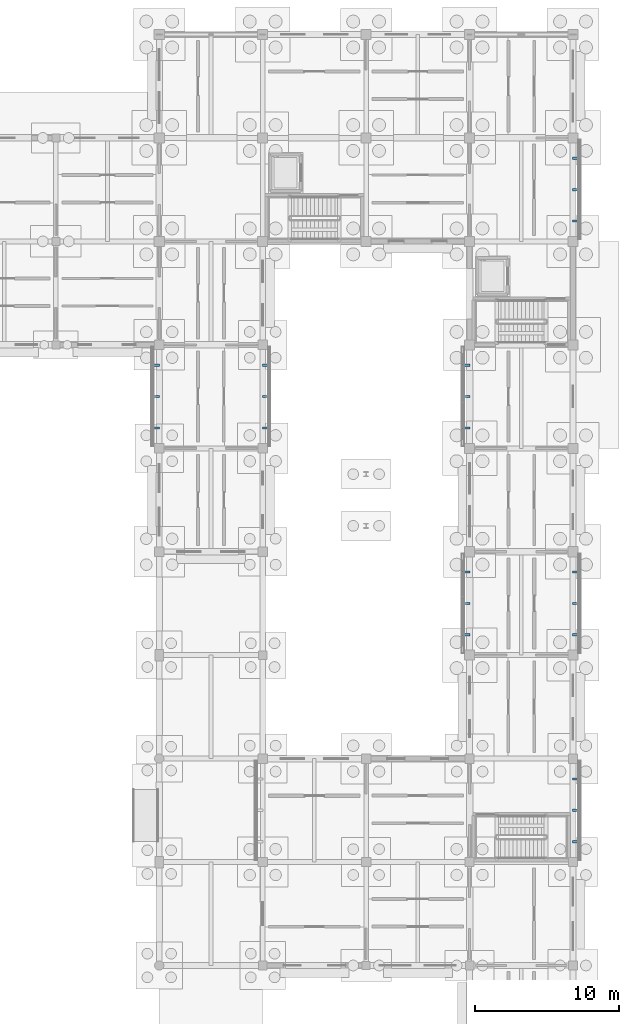
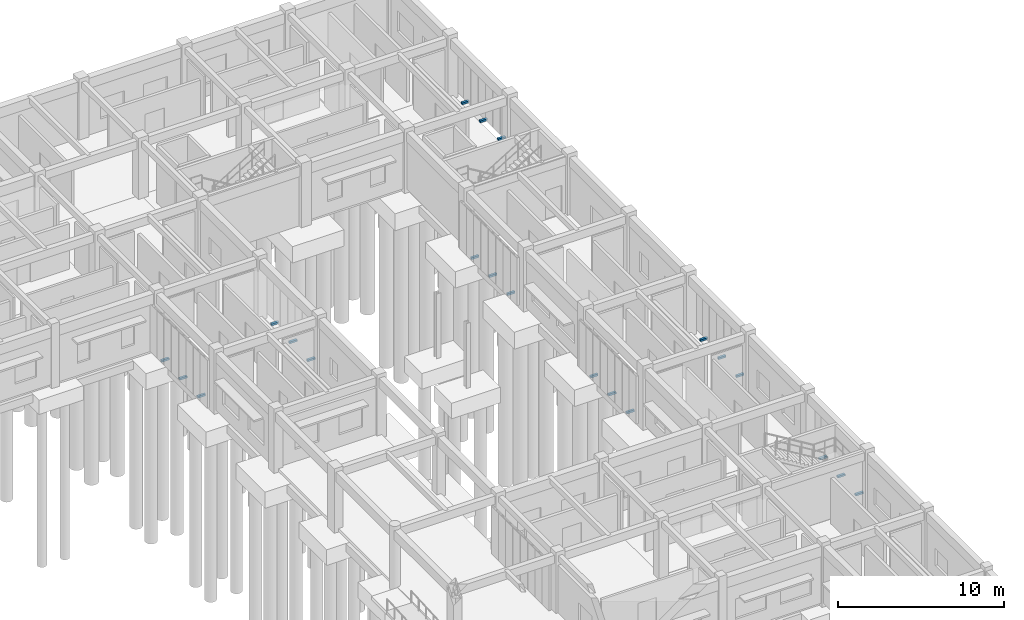
# One storey, part 90 of 111: 21 discrete accessories.
"""IFC4 building model written with IfcOpenShell, lengths in metres."""

import ifcopenshell
import ifcopenshell.guid

model = None  # the IFC model being written
_history = None  # IfcOwnerHistory: only IFC2X3 demands one
_inside = {}  # id of a spatial element -> (the spatial element, [elements in it])
_under = {}  # id of a project, library or spatial element -> (it, [spatial elements below it])
_declared = {}  # id of a project -> (the project, [libraries it declares])
_typed = {}  # id of a type object -> (the type object, [elements of that type])
_made_of = {}  # id of a material, layer set ... -> (it, [elements and type objects made of it])


def new_model(schema):
    """Start an empty IFC model of exactly this schema.

    Asked for "IFC4X3", IfcOpenShell would pick the latest addendum, in which some entities
    have other attributes; the version numbers below select the first issue.
    IFC2X3 requires an IfcOwnerHistory on every rooted entity: one is made here for all.
    """
    global model, _history
    if schema == "IFC4X3":
        model = ifcopenshell.file(schema_version=(4, 3, 0, 0))
    else:
        model = ifcopenshell.file(schema=schema)
    _inside.clear()
    _under.clear()
    _declared.clear()
    _typed.clear()
    _made_of.clear()
    _history = None
    if model.schema == "IFC2X3":
        org = make("IfcOrganization", Name="unknown")
        user = make(
            "IfcPersonAndOrganization",
            ThePerson=make("IfcPerson", FamilyName="unknown"),
            TheOrganization=org,
        )
        app = make(
            "IfcApplication",
            ApplicationDeveloper=org,
            Version="unknown",
            ApplicationFullName="unknown",
            ApplicationIdentifier="unknown",
        )
        _history = make(
            "IfcOwnerHistory",
            OwningUser=user,
            OwningApplication=app,
            ChangeAction="ADDED",
            CreationDate=0,
        )
    return model


def make(cls, **values):
    """One entity of the class cls with the attributes given. An attribute that is None is left unset."""
    return model.create_entity(
        cls, **{name: value for name, value in values.items() if value is not None}
    )


def rooted(cls, **values):
    """An entity with a GlobalId (a new one), such as an element, a storey or a relation."""
    return make(cls, GlobalId=ifcopenshell.guid.new(), OwnerHistory=_history, **values)


def si_unit(unit_type, name, prefix=None):
    """IfcSIUnit, for example si_unit("LENGTHUNIT", "METRE", prefix="MILLI")."""
    return make("IfcSIUnit", UnitType=unit_type, Prefix=prefix, Name=name)


def assignment(units):
    """IfcUnitAssignment: the units of a project."""
    return None if units is None else make("IfcUnitAssignment", Units=units)


def point(xyz):
    """IfcCartesianPoint."""
    return None if xyz is None else make("IfcCartesianPoint", Coordinates=xyz)


def direction(xyz):
    """IfcDirection."""
    return None if xyz is None else make("IfcDirection", DirectionRatios=xyz)


def frame(location, z_axis=None, x_axis=None):
    """IfcAxis2Placement3D, a coordinate frame: its origin and axes. An axis left out is left unset."""
    return make(
        "IfcAxis2Placement3D",
        Location=point(location),
        Axis=direction(z_axis),
        RefDirection=direction(x_axis),
    )


def frame_2d(location, x_axis=None):
    """IfcAxis2Placement2D, a coordinate frame in the plane: its origin and x axis."""
    return make(
        "IfcAxis2Placement2D", Location=point(location), RefDirection=direction(x_axis)
    )


def origin():
    """The frame at (0, 0, 0) with its axes left unset."""
    return frame((0.0, 0.0, 0.0))


def origin_2d():
    """The frame at (0, 0) in the plane with its x axis left unset."""
    return frame_2d((0.0, 0.0))


def place(relative_to, where):
    """IfcLocalPlacement: puts the frame where relative to a parent placement (None: the world)."""
    return make(
        "IfcLocalPlacement", PlacementRelTo=relative_to, RelativePlacement=where
    )


def context(
    kind, dimensions, precision=None, world=None, true_north=None, identifier=None
):
    """IfcGeometricRepresentationContext, for example the 3D "Model" context."""
    return make(
        "IfcGeometricRepresentationContext",
        ContextIdentifier=identifier,
        ContextType=kind,
        CoordinateSpaceDimension=dimensions,
        Precision=precision,
        WorldCoordinateSystem=world,
        TrueNorth=true_north,
    )


def subcontext(parent, identifier, kind, view, scale=None):
    """IfcGeometricRepresentationSubContext, for example "Body" below "Model"."""
    return make(
        "IfcGeometricRepresentationSubContext",
        ContextIdentifier=identifier,
        ContextType=kind,
        ParentContext=parent,
        TargetScale=scale,
        TargetView=view,
    )


def project(units=None, contexts=None):
    """IfcProject with its units and contexts."""
    return rooted(
        "IfcProject",
        Name="project",
        RepresentationContexts=contexts,
        UnitsInContext=assignment(units),
    )


def spatial(cls, under=None, at=None, **own):
    """A site, building, storey or space (cls), placed at a placement, below another one or the project."""
    s = rooted(cls, ObjectPlacement=at, **own)
    if under is not None:
        _under.setdefault(under.id(), (under, []))[1].append(s)
    return s


def profile(cls, at=None, kind="AREA", **sizes):
    """A parametric profile (cls). Its sizes go by their IFC names, for example OverallWidth=200.0."""
    return make(cls, ProfileType=kind, Position=at, **sizes)


def rectangle(**sizes):
    """IfcRectangleProfileDef."""
    return profile("IfcRectangleProfileDef", **sizes)


def extrude(swept, where, along, depth):
    """IfcExtrudedAreaSolid: the profile swept, set in the frame where, extruded along a direction by depth."""
    return make(
        "IfcExtrudedAreaSolid",
        SweptArea=swept,
        Position=where,
        ExtrudedDirection=direction(along),
        Depth=depth,
    )


def shape(context_of_items, identifier, shape_type, items):
    """IfcShapeRepresentation: the items that make up one representation, for example the "Body"."""
    return make(
        "IfcShapeRepresentation",
        ContextOfItems=context_of_items,
        RepresentationIdentifier=identifier,
        RepresentationType=shape_type,
        Items=items,
    )


def material(Name=None, Category=None):
    """IfcMaterial."""
    return make("IfcMaterial", Name=Name, Category=Category)


def made_of(thing, what):
    """Note that an element or type object is made of a material, layer set ...; save() writes the relation."""
    if what is not None:
        _made_of.setdefault(what.id(), (what, []))[1].append(thing)
    return thing


def type_object(cls, material=None, **own):
    """A type object (cls), such as IfcWallType, which elements share."""
    return made_of(rooted(cls, **own), material)


def element(
    cls,
    number,
    at=None,
    inside=None,
    cuts=None,
    type_object=None,
    material=None,
    context=None,
    identifier="Body",
    shape_type=None,
    held_by="IfcProductDefinitionShape",
    body=None,
    shapes=None,
    **own,
):
    """One element of the class cls, such as IfcWall. Its Tag is "e" and its number.

    at: its placement. inside: the storey or other place that contains it. cuts: it is an
    opening in that element (IfcRelVoidsElement). A single representation is given by context,
    identifier, shape_type and body (its items); several are given by shapes. held_by: the class
    of the entity that holds the representations. save() writes the other relations.
    """
    e = rooted(cls, Tag="e%d" % number, ObjectPlacement=at, **own)
    if body is not None:
        shapes = [shape(context, identifier, shape_type, body)]
    if shapes is not None:
        e.Representation = make(held_by, Representations=shapes)
    if inside is not None:
        _inside.setdefault(inside.id(), (inside, []))[1].append(e)
    if cuts is not None:
        rooted(
            "IfcRelVoidsElement", RelatingBuildingElement=cuts, RelatedOpeningElement=e
        )
    if type_object is not None:
        _typed.setdefault(type_object.id(), (type_object, []))[1].append(e)
    return made_of(e, material)


def aggregate(whole, parts):
    """IfcRelAggregates: a whole, such as a stair, and the parts it consists of."""
    return rooted("IfcRelAggregates", RelatingObject=whole, RelatedObjects=parts)


def save(model, path):
    """Write the relations noted so far, then the file.

    IfcRelAggregates (storeys below a building ...), IfcRelContainedInSpatialStructure (elements
    in a storey), IfcRelDefinesByType, IfcRelAssociatesMaterial and IfcRelDeclares: one each for
    every whole, place, type object, material and project.
    """
    for whole, parts in _under.values():
        aggregate(whole, parts)
    for where, things in _inside.values():
        rooted(
            "IfcRelContainedInSpatialStructure",
            RelatedElements=things,
            RelatingStructure=where,
        )
    for kind, things in _typed.values():
        rooted("IfcRelDefinesByType", RelatedObjects=things, RelatingType=kind)
    for what, things in _made_of.values():
        rooted("IfcRelAssociatesMaterial", RelatedObjects=things, RelatingMaterial=what)
    for by, libraries in _declared.values():
        rooted("IfcRelDeclares", RelatingContext=by, RelatedDefinitions=libraries)
    model.write(path)


model = new_model("IFC4")

# Units and contexts
model_context = context("Model", 3, precision=1e-05, world=origin(), true_north=direction((0.0, 1.0)))
body_context = subcontext(model_context, "Body", "Model", "MODEL_VIEW")
ifc_project = project(units=[si_unit("LENGTHUNIT", "METRE"), si_unit("AREAUNIT", "SQUARE_METRE"), si_unit("VOLUMEUNIT", "CUBIC_METRE"), si_unit("PLANEANGLEUNIT", "RADIAN"), si_unit("MASSUNIT", "GRAM", prefix="KILO")], contexts=[model_context])

# Site, building, storey
site_placement = place(None, origin())
site = spatial("IfcSite", under=ifc_project, at=site_placement, CompositionType="ELEMENT")
building_placement = place(site_placement, origin())
building = spatial("IfcBuilding", under=site, at=building_placement, Name="Aldebral Square Health Centre", CompositionType="ELEMENT")
storey_placement = place(building_placement, origin())
storey = spatial("IfcBuildingStorey", under=building, at=storey_placement, Name="L00", CompositionType="ELEMENT", Elevation=0.0)

# Discrete accessories
ifc_material = material(Name="Steel S355JR", Category="steel")
discrete_accessory_type = type_object("IfcDiscreteAccessoryType", Name="ACC-BRK-1", PredefinedType="BRACKET", material=ifc_material)
for number, where, z_axis, x_axis, name in (
    (1, (136.570068359375, 92.18408203125, -0.009765625), (0.0, 0.0, 1.0), (0.0, 1.0, 0.0), "L00 finned curtain-wall bracket L00-V5-19-12-W.1"),
    (2, (136.570068359375, 90.0, -0.009765625), (0.0, 0.0, 1.0), (0.0, 1.0, 0.0), "L00 finned curtain-wall bracket L00-V5-19-12-W.2"),
    (3, (136.570068359375, 87.81591796875, -0.009765625), (0.0, 0.0, 1.0), (0.0, 1.0, 0.0), "L00 finned curtain-wall bracket L00-V5-19-12-W.3"),
    (4, (144.22998046875, 87.81591796875, -0.009765625), (0.0, 0.0, 1.0), (0.0, 1.0, 0.0), "L00 finned curtain-wall bracket L00-V5-19-12-E.1"),
    (5, (144.22998046875, 90.0, -0.009765625), (0.0, 0.0, 1.0), (0.0, 1.0, 0.0), "L00 finned curtain-wall bracket L00-V5-19-12-E.2"),
    (6, (144.22998046875, 92.18408203125, -0.009765625), (0.0, 0.0, 1.0), (0.0, 1.0, 0.0), "L00 finned curtain-wall bracket L00-V5-19-12-E.3"),
    (7, (165.830078125, 59.01611328125, -0.009765625), (0.0, 0.0, 1.0), (0.0, 1.0, 0.0), "L00 finned curtain-wall bracket L00-V5-22-08-E.1"),
    (8, (165.830078125, 61.199951171875, -0.009765625), (0.0, 0.0, 1.0), (0.0, 1.0, 0.0), "L00 finned curtain-wall bracket L00-V5-22-08-E.2"),
    (9, (165.830078125, 63.384033203125, -0.009765625), (0.0, 0.0, 1.0), (0.0, 1.0, 0.0), "L00 finned curtain-wall bracket L00-V5-22-08-E.3"),
    (10, (158.169921875, 77.783935546875, -0.009765625), (0.0, 0.0, 1.0), (0.0, 1.0, 0.0), "L00 finned curtain-wall bracket L00-V5-22-10-W.1"),
    (11, (158.169921875, 75.60009765625, -0.009765625), (0.0, 0.0, 1.0), (0.0, 1.0, 0.0), "L00 finned curtain-wall bracket L00-V5-22-10-W.2"),
    (12, (158.169921875, 73.416015625, -0.009765625), (0.0, 0.0, 1.0), (0.0, 1.0, 0.0), "L00 finned curtain-wall bracket L00-V5-22-10-W.3"),
    (13, (165.830078125, 73.416015625, -0.009765625), (0.0, 0.0, 1.0), (0.0, 1.0, 0.0), "L00 finned curtain-wall bracket L00-V5-22-10-E.1"),
    (14, (165.830078125, 75.60009765625, -0.009765625), (0.0, 0.0, 1.0), (0.0, 1.0, 0.0), "L00 finned curtain-wall bracket L00-V5-22-10-E.2"),
    (15, (165.830078125, 77.783935546875, -0.009765625), (0.0, 0.0, 1.0), (0.0, 1.0, 0.0), "L00 finned curtain-wall bracket L00-V5-22-10-E.3"),
    (16, (158.169921875, 92.18408203125, -0.009765625), (0.0, 0.0, 1.0), (0.0, 1.0, 0.0), "L00 finned curtain-wall bracket L00-V5-22-12-W.1"),
    (17, (158.169921875, 90.0, -0.009765625), (0.0, 0.0, 1.0), (0.0, 1.0, 0.0), "L00 finned curtain-wall bracket L00-V5-22-12-W.2"),
    (18, (158.169921875, 87.81591796875, -0.009765625), (0.0, 0.0, 1.0), (0.0, 1.0, 0.0), "L00 finned curtain-wall bracket L00-V5-22-12-W.3"),
    (19, (165.830078125, 102.216064453125, -0.009765625), (0.0, 0.0, 1.0), (0.0, 1.0, 0.0), "L00 finned curtain-wall bracket L00-V5-22-14-E.1"),
    (20, (165.830078125, 104.39990234375, -0.009765625), (0.0, 0.0, 1.0), (0.0, 1.0, 0.0), "L00 finned curtain-wall bracket L00-V5-22-14-E.2"),
    (21, (165.830078125, 106.583984375, -0.009765625), (0.0, 0.0, 1.0), (0.0, 1.0, 0.0), "L00 finned curtain-wall bracket L00-V5-22-14-E.3"),
):
    element("IfcDiscreteAccessory", number, at=place(storey_placement, frame(where, z_axis=z_axis, x_axis=x_axis)), inside=storey, type_object=discrete_accessory_type, Name=name, PredefinedType="BRACKET", context=body_context, shape_type="SweptSolid", body=[
        extrude(rectangle(XDim=0.159912109375, YDim=0.52001953125, at=origin_2d()), origin(), (0.0, 0.0, 1.0), 0.139892578125),
    ])

save(model, "model.ifc")
